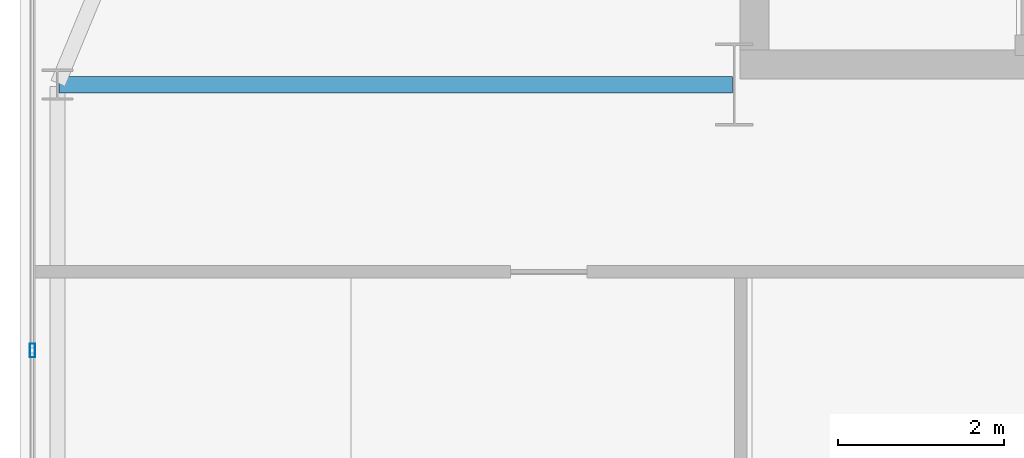
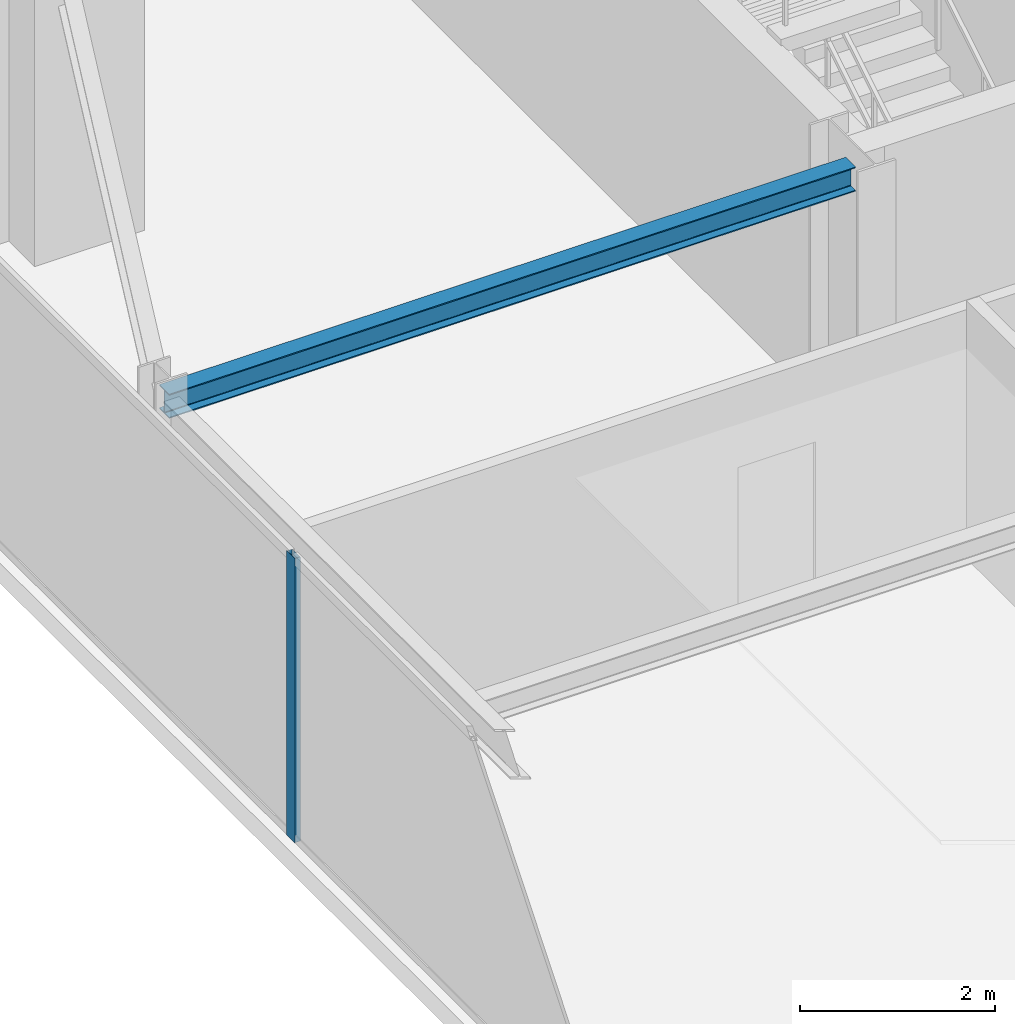
# One storey, part 12 of 31: 1 beam, 1 member, 1 element without a shape of its own.
"""IFC4 building model written with IfcOpenShell, lengths in metres."""

from ifc_helpers import new_model, si_unit, direction, frame, origin, origin_2d, place, context, subcontext, project, spatial, hollow_rectangle, i_section, extrude, source, transform, mapped, material, layer, layer_set, material_profile, profile_set, type_object, type_shapes, element, aggregate, save


model = new_model("IFC4")

# Units and contexts
model_context = context("Model", 3, precision=1e-05, world=origin(), true_north=direction((0.0, 1.0)))
body_context = subcontext(model_context, "Body", "Model", "MODEL_VIEW")
ifc_project = project(units=[si_unit("LENGTHUNIT", "METRE"), si_unit("AREAUNIT", "SQUARE_METRE"), si_unit("VOLUMEUNIT", "CUBIC_METRE"), si_unit("PLANEANGLEUNIT", "RADIAN"), si_unit("MASSUNIT", "GRAM", prefix="KILO")], contexts=[model_context])

# Site, building, storey
site_placement = place(None, origin())
site = spatial("IfcSite", under=ifc_project, at=site_placement, CompositionType="ELEMENT")
building_placement = place(site_placement, origin())
building = spatial("IfcBuilding", under=site, at=building_placement, Name="Varnel Quay Broadcast Tower", CompositionType="ELEMENT")
storey_placement = place(building_placement, frame((0.0, 0.0, 153.39990234375)))
storey = spatial("IfcBuildingStorey", under=building, at=storey_placement, Name="L37", CompositionType="ELEMENT", Elevation=153.39990234375)

# Beam
ifc_material_1 = material(Name="Structural Steel CSA G40.21 350W", Category="steel")
ifc_material_profile_1 = material_profile(ifc_material_1, i_section(OverallWidth=0.202880859375, OverallDepth=0.302978515625, WebThickness=0.007568359375, FlangeThickness=0.01318359375, FilletRadius=0.011962890625, at=origin_2d()), Name="W310X60")
ifc_profile_set_1 = profile_set([ifc_material_profile_1], Name="Structural Steel CSA G40.21 350W")
beam_type = type_object("IfcBeamType", Name="Beam_W310X60", PredefinedType="JOIST", material=ifc_profile_set_1)
shared_shape_1 = source(origin(), body_context, "Body", "SweptSolid", [
    extrude(i_section(OverallWidth=0.202880859375, OverallDepth=0.302978515625, WebThickness=0.007568359375, FlangeThickness=0.01318359375, FilletRadius=0.011962890625, at=origin_2d()), origin(), (0.0, 0.0, 1.0), 8.110107421875),
])
type_shapes(beam_type, [shared_shape_1])
beam_placement = place(storey_placement, frame((7.469970703125, 35.60009765625, 3.398681640625), z_axis=(1.0, 0.0, 0.0), x_axis=(0.0, 1.0, 0.0)))
element("IfcBeam", 1, at=beam_placement, inside=storey, type_object=beam_type, Name="L37 West Core Tie Joist", PredefinedType="JOIST", context=body_context, shape_type="MappedRepresentation", body=[
    mapped(shared_shape_1, transform((0.0, 0.0, 0.0), x_axis=(1.0, 0.0, 0.0), y_axis=(0.0, 1.0, 0.0), z_axis=(0.0, 0.0, 1.0), scale=1.0)),
])

# Curtain wall, member
ifc_material_2 = material(Name="Anodised Bronze Aluminium 6063-T6", Category="aluminium")
ifc_layer = layer(ifc_material_2, 0.18994140625, Name="Anodised Bronze Aluminium 6063-T6")
ifc_layer_set = layer_set([ifc_layer], Name="Anodised Bronze Aluminium 6063-T6")
curtain_wall_type = type_object("IfcCurtainWallType", Name="CW_UpperTower", PredefinedType="NOTDEFINED", material=ifc_layer_set)
curtain_wall_placement = place(storey_placement, origin())
curtain_wall = element("IfcCurtainWall", 2, at=curtain_wall_placement, inside=storey, type_object=curtain_wall_type, Name="L37 West Unitised Curtain Wall", PredefinedType="NOTDEFINED")
ifc_material_profile_2 = material_profile(ifc_material_2, hollow_rectangle(XDim=0.06494140625, YDim=0.1650390625, WallThickness=0.00341796875, at=origin_2d()), Name="ALU65X165X3.5")
ifc_profile_set_2 = profile_set([ifc_material_profile_2], Name="Anodised Bronze Aluminium 6063-T6")
member_type = type_object("IfcMemberType", Name="Mull_CWS-03", PredefinedType="MULLION", material=ifc_profile_set_2)
shared_shape_2 = source(origin(), body_context, "Body", "SweptSolid", [
    extrude(hollow_rectangle(XDim=0.06494140625, YDim=0.1650390625, WallThickness=0.00341796875, at=origin_2d()), origin(), (0.0, 0.0, 1.0), 3.550048828125),
])
type_shapes(member_type, [shared_shape_2])
member_placement = place(storey_placement, frame((7.14990234375, 32.39990234375, 0.0), z_axis=(0.0, 0.0, 1.0), x_axis=(-1.0, 0.0, 0.0)))
member = element("IfcMember", 3, at=member_placement, type_object=member_type, Name="CWS-03 mullion 3", PredefinedType="MULLION", context=body_context, shape_type="MappedRepresentation", body=[
    mapped(shared_shape_2, transform((0.0, 0.0, 0.0), x_axis=(1.0, 0.0, 0.0), y_axis=(0.0, 1.0, 0.0), z_axis=(0.0, 0.0, 1.0), scale=1.0)),
])
aggregate(curtain_wall, [member])

save(model, "model.ifc")
